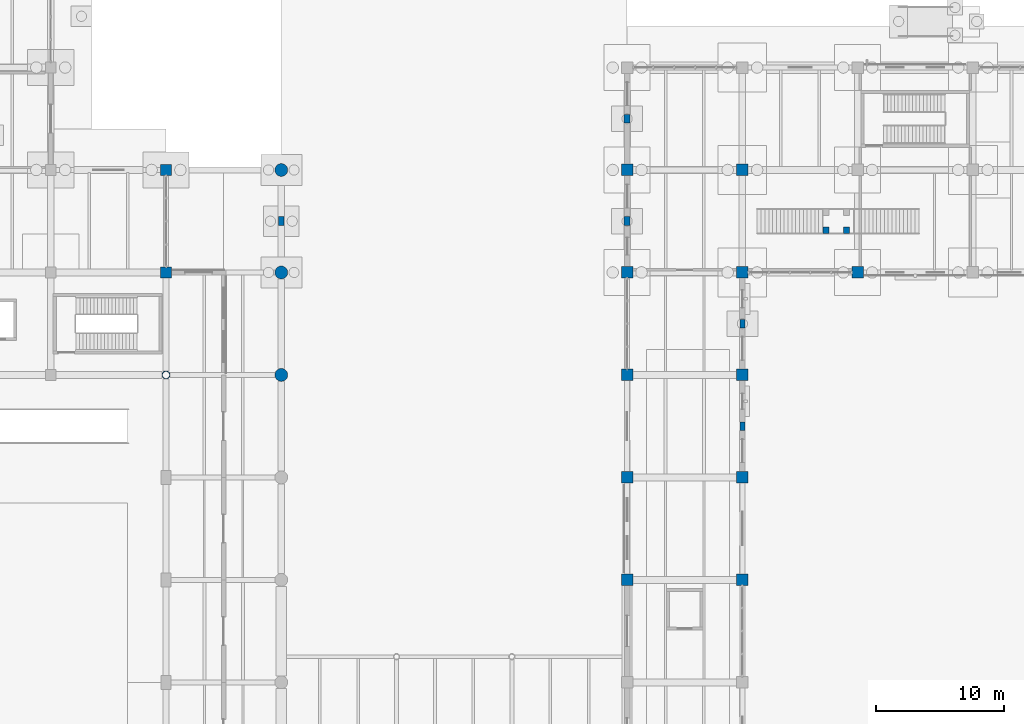
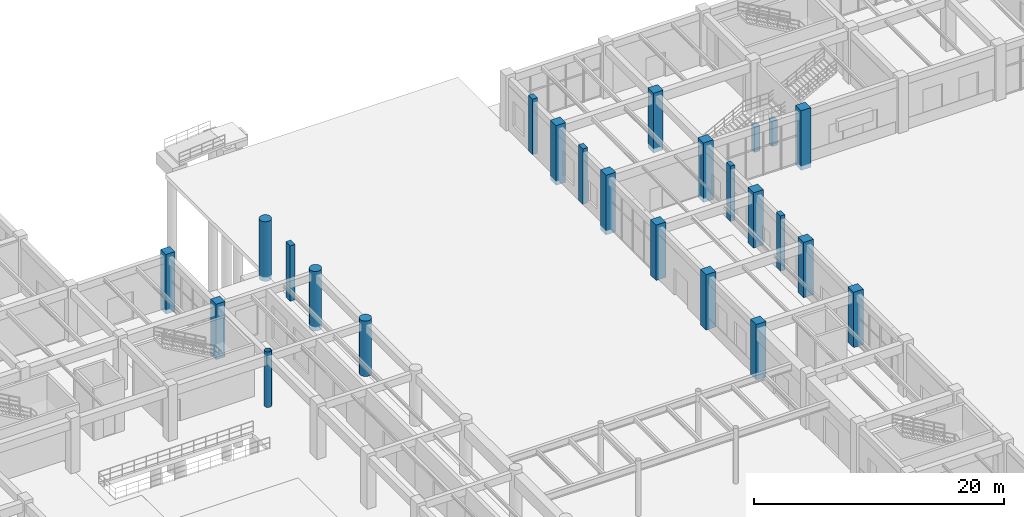
# One storey, part 14 of 121: 24 columns.
"""IFC4 building model written with IfcOpenShell, lengths in metres."""

from ifc_helpers import new_model, si_unit, derived_unit, direction, frame, origin, origin_2d, place, context, subcontext, project, spatial, rectangle, circle, hollow_circle, extrude, material, material_profile, profile_set, type_object, element, save


model = new_model("IFC4")

# Units and contexts
model_context = context("Model", 3, precision=1e-05, world=origin(), true_north=direction((0.0, 1.0)))
body_context = subcontext(model_context, "Body", "Model", "MODEL_VIEW")
ifc_project = project(units=[si_unit("LENGTHUNIT", "METRE"), si_unit("AREAUNIT", "SQUARE_METRE"), si_unit("VOLUMEUNIT", "CUBIC_METRE"), si_unit("PLANEANGLEUNIT", "RADIAN"), si_unit("MASSUNIT", "GRAM", prefix="KILO"), derived_unit("THERMALTRANSMITTANCEUNIT", [(si_unit("MASSUNIT", "GRAM", prefix="KILO"), 1), (si_unit("TIMEUNIT", "SECOND"), -3), (si_unit("THERMODYNAMICTEMPERATUREUNIT", "KELVIN"), -1)])], contexts=[model_context])

# Site, building, storey
site_placement = place(None, origin())
site = spatial("IfcSite", under=ifc_project, at=site_placement, CompositionType="ELEMENT")
building_placement = place(site_placement, origin())
building = spatial("IfcBuilding", under=site, at=building_placement, Name="Zhenchuan Archway Interchange", CompositionType="ELEMENT")
storey_placement = place(building_placement, origin())
storey = spatial("IfcBuildingStorey", under=building, at=storey_placement, Name="L00", CompositionType="ELEMENT", Elevation=0.0)

# Columns
ifc_material_1 = material(Name="Concrete C40", Category="concrete")
ifc_material_profile_1 = material_profile(ifc_material_1, rectangle(XDim=0.5, YDim=0.5, at=origin_2d()), Name="RC 500x500")
ifc_profile_set_1 = profile_set([ifc_material_profile_1], Name="Concrete C40")
column_type_1 = type_object("IfcColumnType", Name="COL_RC_500_LND", PredefinedType="COLUMN", material=ifc_profile_set_1)
for number, where, z_axis, x_axis, name in (
    (1, (114.530029296875, 91.300048828125, 0.0), (0.0, 0.0, 1.0), (1.0, 0.0, 0.0), "Stair ST-P6 landing support column 1"),
    (2, (116.1298828125, 91.300048828125, 0.0), (0.0, 0.0, 1.0), (1.0, 0.0, 0.0), "Stair ST-P6 landing support column 2"),
):
    element("IfcColumn", number, at=place(storey_placement, frame(where, z_axis=z_axis, x_axis=x_axis)), inside=storey, type_object=column_type_1, Name=name, PredefinedType="COLUMN", context=body_context, shape_type="SweptSolid", body=[
        extrude(rectangle(XDim=0.5, YDim=0.5, at=origin_2d()), origin(), (0.0, 0.0, 1.0), 2.47998046875),
    ])
ifc_material_profile_2 = material_profile(ifc_material_1, rectangle(XDim=0.85009765625, YDim=0.85009765625, at=origin_2d()), Name="RC 850x850")
ifc_profile_set_2 = profile_set([ifc_material_profile_2], Name="Concrete C40")
column_type_2 = type_object("IfcColumnType", Name="COL_RC_850", PredefinedType="COLUMN", material=ifc_profile_set_2)
column_1_placement = place(storey_placement, frame((63.0, 88.0, 0.0), z_axis=(0.0, 0.0, 1.0), x_axis=(1.0, 0.0, 0.0)))
element("IfcColumn", 3, at=column_1_placement, inside=storey, type_object=column_type_2, Name="Column 8/M (L00)", PredefinedType="COLUMN", context=body_context, shape_type="SweptSolid", body=[
    extrude(rectangle(XDim=0.85009765625, YDim=0.85009765625, at=origin_2d()), origin(), (0.0, 0.0, 1.0), 5.39990234375),
])
column_2_placement = place(storey_placement, frame((63.0, 96.0, -0.419921875), z_axis=(0.0, 0.0, 1.0), x_axis=(1.0, 0.0, 0.0)))
element("IfcColumn", 4, at=column_2_placement, inside=storey, type_object=column_type_2, Name="Column 8/N (L00)", PredefinedType="COLUMN", context=body_context, shape_type="SweptSolid", body=[
    extrude(rectangle(XDim=0.85009765625, YDim=0.85009765625, at=origin_2d()), origin(), (0.0, 0.0, 1.0), 5.81982421875),
])
ifc_material_2 = material(Name="Concrete C50", Category="concrete")
ifc_material_profile_3 = material_profile(ifc_material_2, rectangle(XDim=0.89990234375, YDim=0.89990234375, at=origin_2d()), Name="RC 900x900")
ifc_profile_set_3 = profile_set([ifc_material_profile_3], Name="Concrete C50")
column_type_3 = type_object("IfcColumnType", Name="COL_RC_900_T", PredefinedType="COLUMN", material=ifc_profile_set_3)
for number, where, z_axis, x_axis, name in (
    (5, (99.0, 64.0, 0.0), (0.0, 0.0, 1.0), (1.0, 0.0, 0.0), "Column 12/J (L00)"),
    (6, (99.0, 72.0, 0.0), (0.0, 0.0, 1.0), (1.0, 0.0, 0.0), "Column 12/K (L00)"),
    (7, (99.0, 80.0, 0.0), (0.0, 0.0, 1.0), (1.0, 0.0, 0.0), "Column 12/L (L00)"),
):
    element("IfcColumn", number, at=place(storey_placement, frame(where, z_axis=z_axis, x_axis=x_axis)), inside=storey, type_object=column_type_3, Name=name, PredefinedType="COLUMN", context=body_context, shape_type="SweptSolid", body=[
        extrude(rectangle(XDim=0.89990234375, YDim=0.89990234375, at=origin_2d()), origin(), (0.0, 0.0, 1.0), 5.39990234375),
    ])
for number, where, z_axis, x_axis, name in (
    (8, (99.0, 88.0, -0.419921875), (0.0, 0.0, 1.0), (1.0, 0.0, 0.0), "Column 12/M (L00)"),
    (9, (99.0, 96.0, -0.419921875), (0.0, 0.0, 1.0), (1.0, 0.0, 0.0), "Column 12/N (L00)"),
):
    element("IfcColumn", number, at=place(storey_placement, frame(where, z_axis=z_axis, x_axis=x_axis)), inside=storey, type_object=column_type_3, Name=name, PredefinedType="COLUMN", context=body_context, shape_type="SweptSolid", body=[
        extrude(rectangle(XDim=0.89990234375, YDim=0.89990234375, at=origin_2d()), origin(), (0.0, 0.0, 1.0), 5.81982421875),
    ])
for number, where, z_axis, x_axis, name in (
    (10, (108.0, 64.0, 0.0), (0.0, 0.0, 1.0), (1.0, 0.0, 0.0), "Column 13/J (L00)"),
    (11, (108.0, 72.0, 0.0), (0.0, 0.0, 1.0), (1.0, 0.0, 0.0), "Column 13/K (L00)"),
    (12, (108.0, 80.0, 0.0), (0.0, 0.0, 1.0), (1.0, 0.0, 0.0), "Column 13/L (L00)"),
):
    element("IfcColumn", number, at=place(storey_placement, frame(where, z_axis=z_axis, x_axis=x_axis)), inside=storey, type_object=column_type_3, Name=name, PredefinedType="COLUMN", context=body_context, shape_type="SweptSolid", body=[
        extrude(rectangle(XDim=0.89990234375, YDim=0.89990234375, at=origin_2d()), origin(), (0.0, 0.0, 1.0), 5.39990234375),
    ])
for number, where, z_axis, x_axis, name in (
    (13, (108.0, 88.0, -0.419921875), (0.0, 0.0, 1.0), (1.0, 0.0, 0.0), "Column 13/M (L00)"),
    (14, (108.0, 96.0, -0.419921875), (0.0, 0.0, 1.0), (1.0, 0.0, 0.0), "Column 13/N (L00)"),
    (15, (117.0, 88.0, -0.419921875), (0.0, 0.0, 1.0), (1.0, 0.0, 0.0), "Column 14/M (L00)"),
):
    element("IfcColumn", number, at=place(storey_placement, frame(where, z_axis=z_axis, x_axis=x_axis)), inside=storey, type_object=column_type_3, Name=name, PredefinedType="COLUMN", context=body_context, shape_type="SweptSolid", body=[
        extrude(rectangle(XDim=0.89990234375, YDim=0.89990234375, at=origin_2d()), origin(), (0.0, 0.0, 1.0), 5.81982421875),
    ])
ifc_material_profile_4 = material_profile(ifc_material_2, circle(Radius=0.5, at=origin_2d()), Name="RC D1000")
ifc_profile_set_4 = profile_set([ifc_material_profile_4], Name="Concrete C50")
column_type_4 = type_object("IfcColumnType", Name="COL_RC_D1000", PredefinedType="COLUMN", material=ifc_profile_set_4)
column_3_placement = place(storey_placement, frame((72.0, 80.0, 0.0), z_axis=(0.0, 0.0, 1.0), x_axis=(1.0, 0.0, 0.0)))
element("IfcColumn", 16, at=column_3_placement, inside=storey, type_object=column_type_4, Name="Column 9/L (L00)", PredefinedType="COLUMN", context=body_context, shape_type="SweptSolid", body=[
    extrude(circle(Radius=0.5, at=origin_2d()), origin(), (0.0, 0.0, 1.0), 5.39990234375),
])
for number, where, z_axis, x_axis, name in (
    (17, (72.0, 88.0, -0.419921875), (0.0, 0.0, 1.0), (1.0, 0.0, 0.0), "Column 9/M (L00)"),
    (18, (72.0, 96.0, -0.419921875), (0.0, 0.0, 1.0), (1.0, 0.0, 0.0), "Column 9/N (L00)"),
):
    element("IfcColumn", number, at=place(storey_placement, frame(where, z_axis=z_axis, x_axis=x_axis)), inside=storey, type_object=column_type_4, Name=name, PredefinedType="COLUMN", context=body_context, shape_type="SweptSolid", body=[
        extrude(circle(Radius=0.5, at=origin_2d()), origin(), (0.0, 0.0, 1.0), 5.81982421875),
    ])
ifc_material_3 = material(Name="Steel Q390", Category="steel")
ifc_material_profile_5 = material_profile(ifc_material_3, hollow_circle(Radius=0.304931640625, WallThickness=0.02001953125, at=origin_2d()), Name="CHS 610x20")
ifc_profile_set_5 = profile_set([ifc_material_profile_5], Name="Steel Q390")
column_type_5 = type_object("IfcColumnType", Name="COL_STL_CHS610", PredefinedType="COLUMN", material=ifc_profile_set_5)
column_4_placement = place(storey_placement, frame((63.0, 80.0, 0.0), z_axis=(0.0, 0.0, 1.0), x_axis=(1.0, 0.0, 0.0)))
element("IfcColumn", 19, at=column_4_placement, inside=storey, type_object=column_type_5, Name="Column 8/L (L00)", PredefinedType="COLUMN", context=body_context, shape_type="SweptSolid", body=[
    extrude(hollow_circle(Radius=0.304931640625, WallThickness=0.02001953125, at=origin_2d()), origin(), (0.0, 0.0, 1.0), 5.39990234375),
])
ifc_material_profile_6 = material_profile(ifc_material_1, rectangle(XDim=0.39990234375, YDim=0.64990234375, at=origin_2d()), Name="RC 400x650")
ifc_profile_set_6 = profile_set([ifc_material_profile_6], Name="Concrete C40")
column_type_6 = type_object("IfcColumnType", Name="PIL_COURT_400x650", PredefinedType="PILASTER", material=ifc_profile_set_6)
for number, where, z_axis, x_axis, name in (
    (20, (108.0, 76.0, 0.0), (0.0, 0.0, 1.0), (1.0, 0.0, 0.0), "Colonnade pilaster CRT-W3 (L00)"),
    (21, (108.0, 84.0, 0.0), (0.0, 0.0, 1.0), (1.0, 0.0, 0.0), "Colonnade pilaster CRT-W4 (L00)"),
):
    element("IfcColumn", number, at=place(storey_placement, frame(where, z_axis=z_axis, x_axis=x_axis)), inside=storey, type_object=column_type_6, Name=name, PredefinedType="PILASTER", context=body_context, shape_type="SweptSolid", body=[
        extrude(rectangle(XDim=0.39990234375, YDim=0.64990234375, at=origin_2d()), origin(), (0.0, 0.0, 1.0), 5.39990234375),
    ])
ifc_material_profile_7 = material_profile(ifc_material_1, rectangle(XDim=0.449951171875, YDim=0.699951171875, at=origin_2d()), Name="RC 450x700")
ifc_profile_set_7 = profile_set([ifc_material_profile_7], Name="Concrete C40")
column_type_7 = type_object("IfcColumnType", Name="PIL_PASSAGE_450x700", PredefinedType="PILASTER", material=ifc_profile_set_7)
for number, where, z_axis, x_axis, name in (
    (22, (72.0, 92.0, 0.0), (0.0, 0.0, 1.0), (1.0, 0.0, 0.0), "Colonnade pilaster PAS-W3 (L00)"),
    (23, (99.0, 92.0, 0.0), (0.0, 0.0, 1.0), (1.0, 0.0, 0.0), "Colonnade pilaster PAS-E3 (L00)"),
    (24, (99.0, 100.0, 0.0), (0.0, 0.0, 1.0), (1.0, 0.0, 0.0), "Colonnade pilaster PAS-E4 (L00)"),
):
    element("IfcColumn", number, at=place(storey_placement, frame(where, z_axis=z_axis, x_axis=x_axis)), inside=storey, type_object=column_type_7, Name=name, PredefinedType="PILASTER", context=body_context, shape_type="SweptSolid", body=[
        extrude(rectangle(XDim=0.449951171875, YDim=0.699951171875, at=origin_2d()), origin(), (0.0, 0.0, 1.0), 5.39990234375),
    ])

save(model, "model.ifc")
